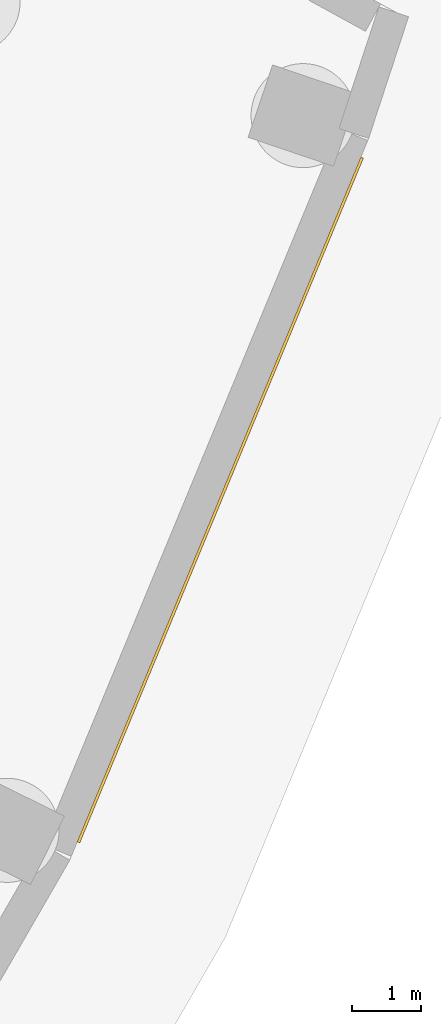
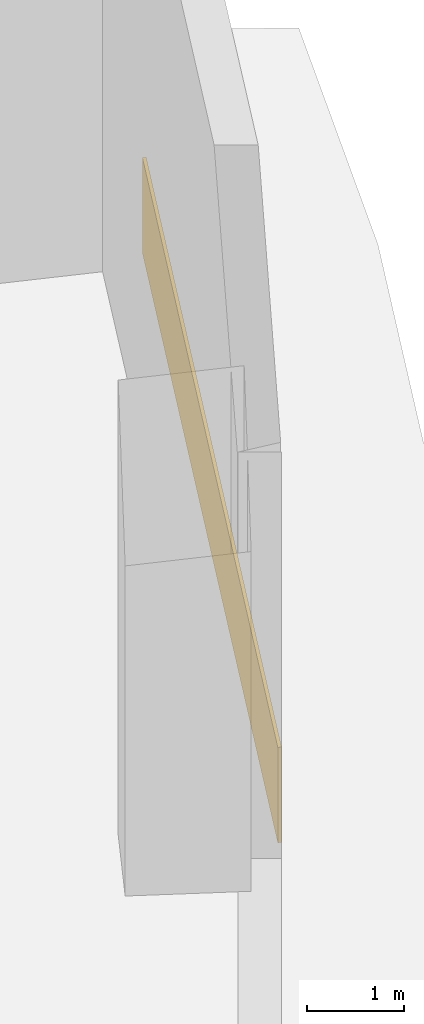
# One storey, part 22 of 23: 1 covering.
"""IFC4 building model written with IfcOpenShell, lengths in metres."""

from ifc_helpers import new_model, si_unit, direction, frame, origin, origin_2d, place, context, subcontext, project, spatial, rectangle, extrude, material, layer, layer_set, type_object, element, save


model = new_model("IFC4")

# Units and contexts
model_context = context("Model", 3, precision=1e-05, world=origin(), true_north=direction((0.0, 1.0)))
body_context = subcontext(model_context, "Body", "Model", "MODEL_VIEW")
ifc_project = project(units=[si_unit("LENGTHUNIT", "METRE"), si_unit("AREAUNIT", "SQUARE_METRE"), si_unit("VOLUMEUNIT", "CUBIC_METRE"), si_unit("PLANEANGLEUNIT", "RADIAN"), si_unit("MASSUNIT", "GRAM", prefix="KILO")], contexts=[model_context])

# Site, building, storey
site_placement = place(None, origin())
site = spatial("IfcSite", under=ifc_project, at=site_placement, CompositionType="ELEMENT")
building_placement = place(site_placement, origin())
building = spatial("IfcBuilding", under=site, at=building_placement, Name="Qamariyya Broadcast Tower", CompositionType="ELEMENT")
storey_placement = place(building_placement, origin())
storey = spatial("IfcBuildingStorey", under=building, at=storey_placement, Name="L00", CompositionType="ELEMENT", Elevation=0.0)

# Covering
ifc_material = material(Name="Glazed terracotta", Category="masonry")
ifc_layer = layer(ifc_material, 0.0400390625)
ifc_layer_set = layer_set([ifc_layer], Name="Terracotta cladding panel 40, plinth")
covering_type = type_object("IfcCoveringType", Name="Terracotta cladding panel 40, plinth", PredefinedType="CLADDING", material=ifc_layer_set)
covering_placement = place(storey_placement, frame((79.532470703125, -32.943359375, 0.0), z_axis=(0.0, 0.0, 1.0), x_axis=(0.382683432365, 0.923879532511, 0.0)))
element("IfcCovering", 1, at=covering_placement, inside=storey, type_object=covering_type, Name="e-cl-L00-19", PredefinedType="CLADDING", context=body_context, shape_type="SweptSolid", body=[
    extrude(rectangle(XDim=10.68212890625, YDim=0.0400390625, at=origin_2d()), origin(), (0.0, 0.0, 1.0), 1.199951171875),
])

save(model, "model.ifc")
